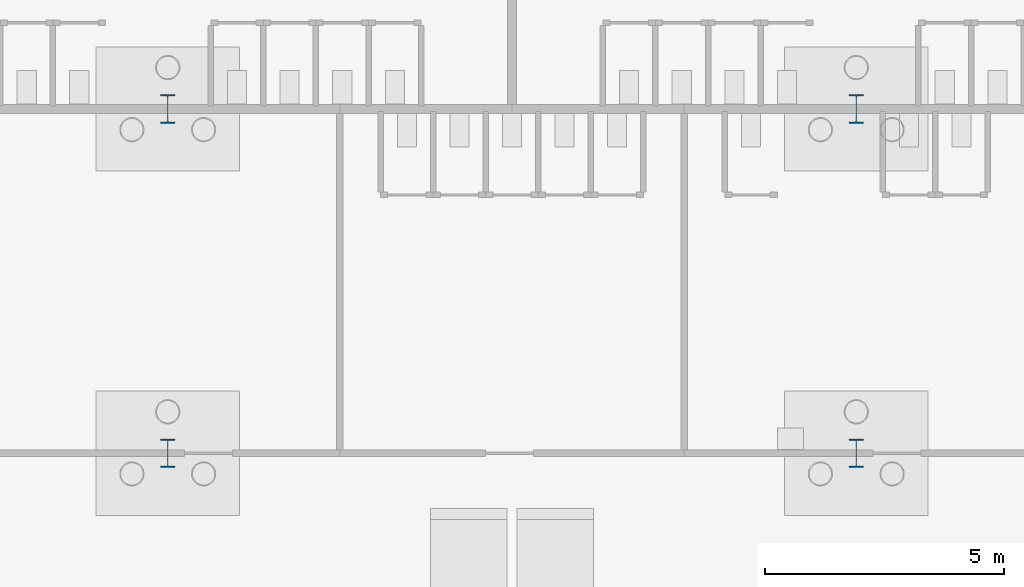
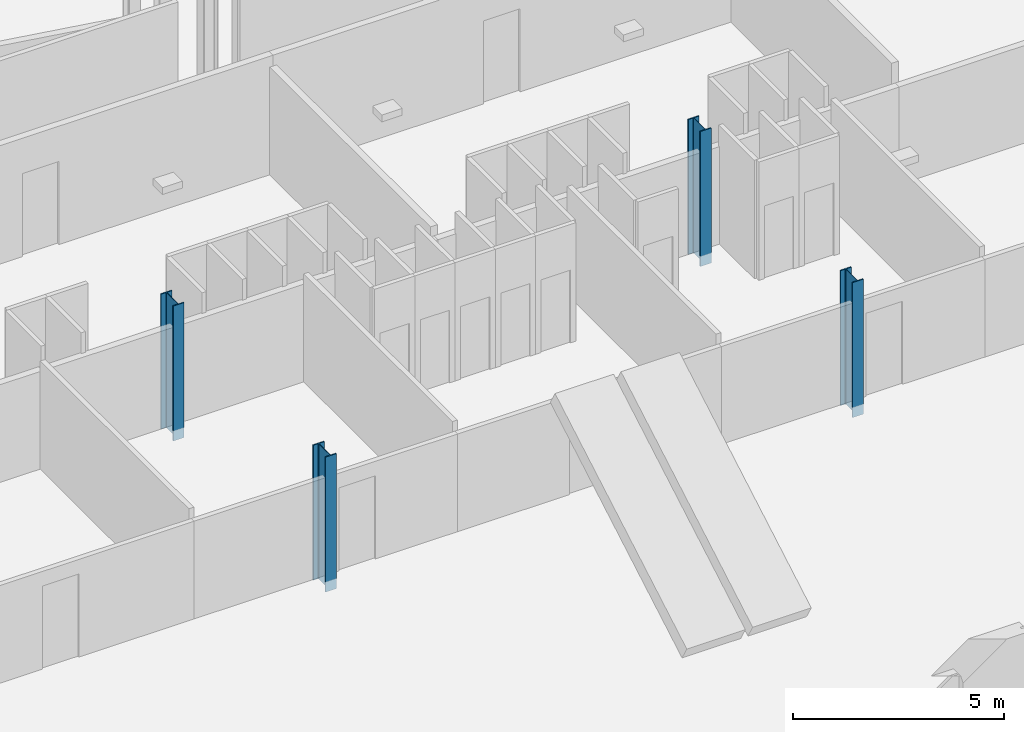
# One storey, part 40 of 148: 4 columns.
"""IFC4 building model written with IfcOpenShell, lengths in metres."""

from ifc_helpers import new_model, si_unit, direction, frame, origin, origin_2d, place, context, subcontext, project, spatial, i_section, extrude, material, material_profile, profile_set, type_object, element, save


model = new_model("IFC4")

# Units and contexts
model_context = context("Model", 3, precision=1e-05, world=origin(), true_north=direction((0.0, 1.0)))
body_context = subcontext(model_context, "Body", "Model", "MODEL_VIEW")
ifc_project = project(units=[si_unit("LENGTHUNIT", "METRE"), si_unit("AREAUNIT", "SQUARE_METRE"), si_unit("VOLUMEUNIT", "CUBIC_METRE"), si_unit("PLANEANGLEUNIT", "RADIAN"), si_unit("MASSUNIT", "GRAM", prefix="KILO")], contexts=[model_context])

# Site, building, storey
site_placement = place(None, origin())
site = spatial("IfcSite", under=ifc_project, at=site_placement, CompositionType="ELEMENT")
building_placement = place(site_placement, origin())
building = spatial("IfcBuilding", under=site, at=building_placement, Name="Kupolbacken Congress Centre", CompositionType="ELEMENT")
storey_placement = place(building_placement, origin())
storey = spatial("IfcBuildingStorey", under=building, at=storey_placement, Name="L00", CompositionType="ELEMENT", Elevation=0.0)

# Columns
ifc_material = material(Name="Steel S355", Category="steel")
ifc_material_profile = material_profile(ifc_material, i_section(OverallWidth=0.300048828125, OverallDepth=0.60009765625, WebThickness=0.015380859375, FlangeThickness=0.030029296875, FilletRadius=0.027099609375, at=origin_2d()), Name="HEB 600")
ifc_profile_set = profile_set([ifc_material_profile], Name="Steel S355")
column_type = type_object("IfcColumnType", Name="C05 column HEB 600", PredefinedType="COLUMN", material=ifc_profile_set)
for number, where, z_axis, x_axis, name in (
    (1, (36.0, 43.199951171875, -0.300048828125), (0.0, 0.0, 1.0), (1.0, 0.0, 0.0), "S/col/C-F-6G/L00"),
    (2, (36.0, 50.39990234375, -0.300048828125), (0.0, 0.0, 1.0), (1.0, 0.0, 0.0), "S/col/C-F-6H/L00"),
    (3, (50.39990234375, 43.199951171875, -0.300048828125), (0.0, 0.0, 1.0), (1.0, 0.0, 0.0), "S/col/C-F-8G/L00"),
    (4, (50.39990234375, 50.39990234375, -0.300048828125), (0.0, 0.0, 1.0), (1.0, 0.0, 0.0), "S/col/C-F-8H/L00"),
):
    element("IfcColumn", number, at=place(storey_placement, frame(where, z_axis=z_axis, x_axis=x_axis)), inside=storey, type_object=column_type, Name=name, PredefinedType="COLUMN", context=body_context, shape_type="SweptSolid", body=[
        extrude(i_section(OverallWidth=0.300048828125, OverallDepth=0.60009765625, WebThickness=0.015380859375, FlangeThickness=0.030029296875, FilletRadius=0.027099609375, at=origin_2d()), origin(), (0.0, 0.0, 1.0), 3.900146484375),
    ])

save(model, "model.ifc")
